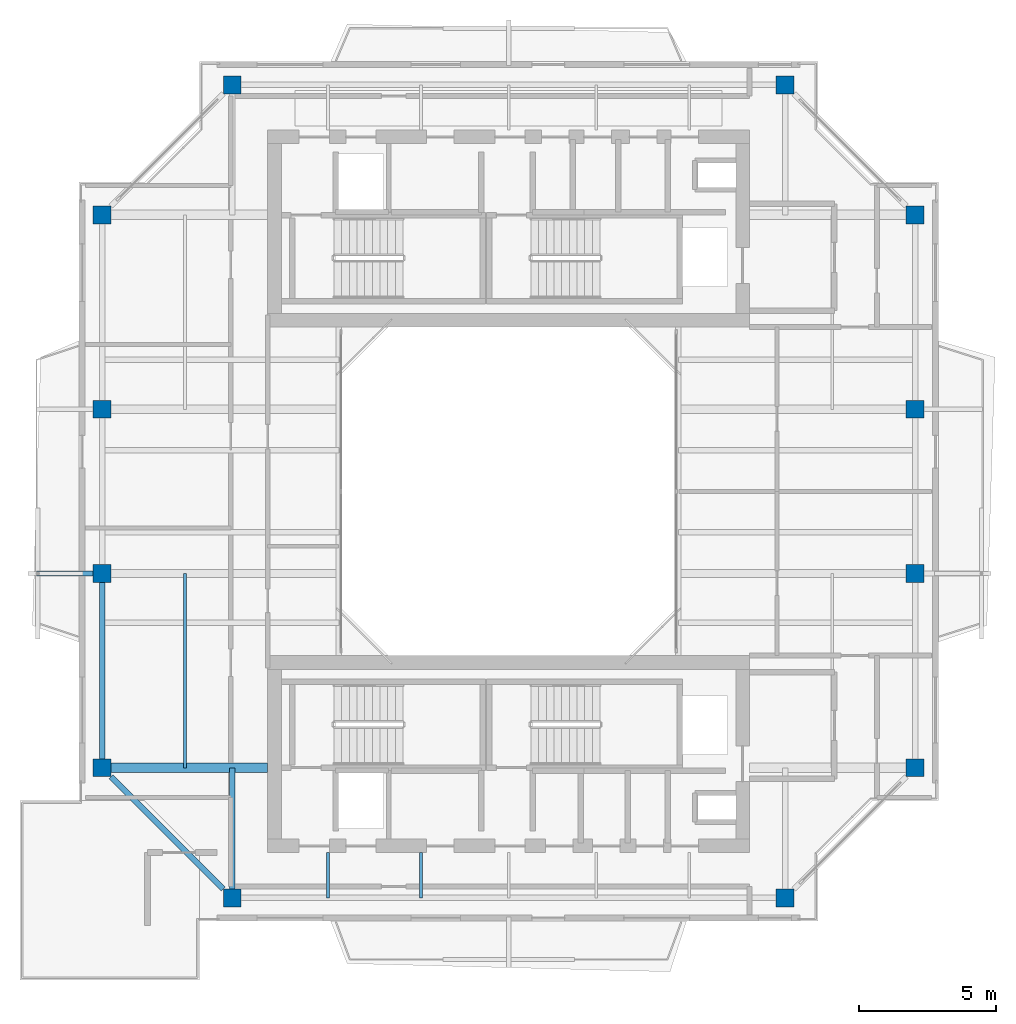
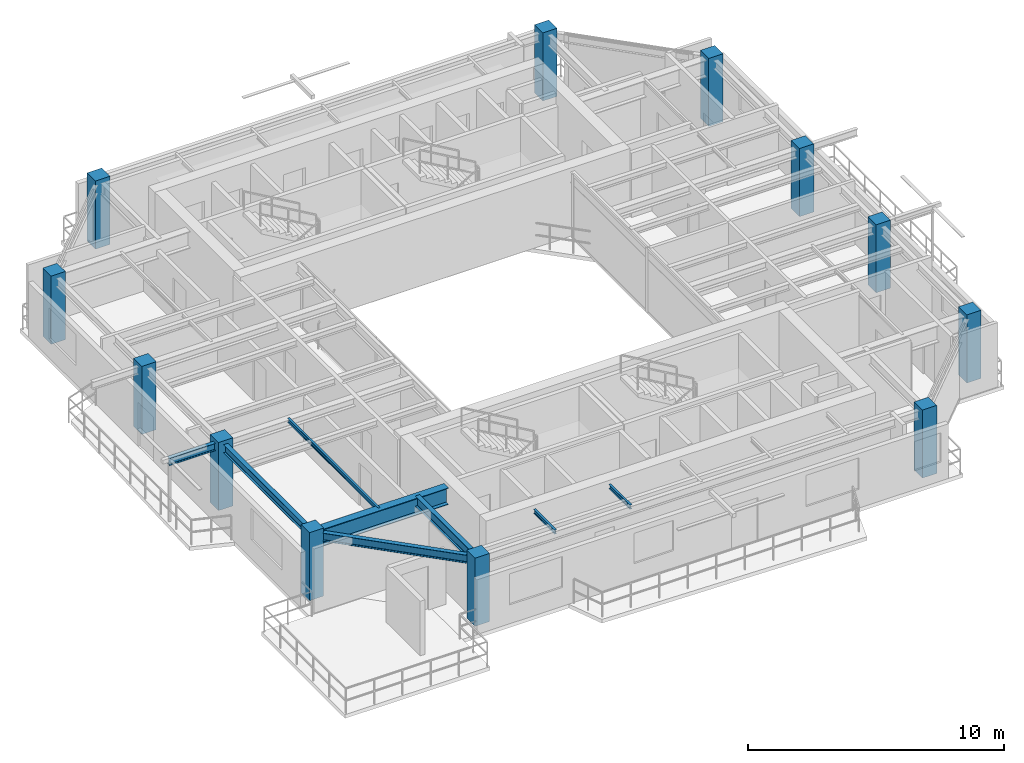
# One storey, part 1 of 14: 12 columns, 8 beams.
"""IFC4 building model written with IfcOpenShell, lengths in metres."""

import ifcopenshell
import ifcopenshell.guid

model = None  # the IFC model being written
_history = None  # IfcOwnerHistory: only IFC2X3 demands one
_inside = {}  # id of a spatial element -> (the spatial element, [elements in it])
_under = {}  # id of a project, library or spatial element -> (it, [spatial elements below it])
_declared = {}  # id of a project -> (the project, [libraries it declares])
_typed = {}  # id of a type object -> (the type object, [elements of that type])
_made_of = {}  # id of a material, layer set ... -> (it, [elements and type objects made of it])


def new_model(schema):
    """Start an empty IFC model of exactly this schema.

    Asked for "IFC4X3", IfcOpenShell would pick the latest addendum, in which some entities
    have other attributes; the version numbers below select the first issue.
    IFC2X3 requires an IfcOwnerHistory on every rooted entity: one is made here for all.
    """
    global model, _history
    if schema == "IFC4X3":
        model = ifcopenshell.file(schema_version=(4, 3, 0, 0))
    else:
        model = ifcopenshell.file(schema=schema)
    _inside.clear()
    _under.clear()
    _declared.clear()
    _typed.clear()
    _made_of.clear()
    _history = None
    if model.schema == "IFC2X3":
        org = make("IfcOrganization", Name="unknown")
        user = make(
            "IfcPersonAndOrganization",
            ThePerson=make("IfcPerson", FamilyName="unknown"),
            TheOrganization=org,
        )
        app = make(
            "IfcApplication",
            ApplicationDeveloper=org,
            Version="unknown",
            ApplicationFullName="unknown",
            ApplicationIdentifier="unknown",
        )
        _history = make(
            "IfcOwnerHistory",
            OwningUser=user,
            OwningApplication=app,
            ChangeAction="ADDED",
            CreationDate=0,
        )
    return model


def make(cls, **values):
    """One entity of the class cls with the attributes given. An attribute that is None is left unset."""
    return model.create_entity(
        cls, **{name: value for name, value in values.items() if value is not None}
    )


def rooted(cls, **values):
    """An entity with a GlobalId (a new one), such as an element, a storey or a relation."""
    return make(cls, GlobalId=ifcopenshell.guid.new(), OwnerHistory=_history, **values)


def si_unit(unit_type, name, prefix=None):
    """IfcSIUnit, for example si_unit("LENGTHUNIT", "METRE", prefix="MILLI")."""
    return make("IfcSIUnit", UnitType=unit_type, Prefix=prefix, Name=name)


def assignment(units):
    """IfcUnitAssignment: the units of a project."""
    return None if units is None else make("IfcUnitAssignment", Units=units)


def point(xyz):
    """IfcCartesianPoint."""
    return None if xyz is None else make("IfcCartesianPoint", Coordinates=xyz)


def direction(xyz):
    """IfcDirection."""
    return None if xyz is None else make("IfcDirection", DirectionRatios=xyz)


def frame(location, z_axis=None, x_axis=None):
    """IfcAxis2Placement3D, a coordinate frame: its origin and axes. An axis left out is left unset."""
    return make(
        "IfcAxis2Placement3D",
        Location=point(location),
        Axis=direction(z_axis),
        RefDirection=direction(x_axis),
    )


def frame_2d(location, x_axis=None):
    """IfcAxis2Placement2D, a coordinate frame in the plane: its origin and x axis."""
    return make(
        "IfcAxis2Placement2D", Location=point(location), RefDirection=direction(x_axis)
    )


def origin():
    """The frame at (0, 0, 0) with its axes left unset."""
    return frame((0.0, 0.0, 0.0))


def origin_2d():
    """The frame at (0, 0) in the plane with its x axis left unset."""
    return frame_2d((0.0, 0.0))


def place(relative_to, where):
    """IfcLocalPlacement: puts the frame where relative to a parent placement (None: the world)."""
    return make(
        "IfcLocalPlacement", PlacementRelTo=relative_to, RelativePlacement=where
    )


def context(
    kind, dimensions, precision=None, world=None, true_north=None, identifier=None
):
    """IfcGeometricRepresentationContext, for example the 3D "Model" context."""
    return make(
        "IfcGeometricRepresentationContext",
        ContextIdentifier=identifier,
        ContextType=kind,
        CoordinateSpaceDimension=dimensions,
        Precision=precision,
        WorldCoordinateSystem=world,
        TrueNorth=true_north,
    )


def subcontext(parent, identifier, kind, view, scale=None):
    """IfcGeometricRepresentationSubContext, for example "Body" below "Model"."""
    return make(
        "IfcGeometricRepresentationSubContext",
        ContextIdentifier=identifier,
        ContextType=kind,
        ParentContext=parent,
        TargetScale=scale,
        TargetView=view,
    )


def project(units=None, contexts=None):
    """IfcProject with its units and contexts."""
    return rooted(
        "IfcProject",
        Name="project",
        RepresentationContexts=contexts,
        UnitsInContext=assignment(units),
    )


def spatial(cls, under=None, at=None, **own):
    """A site, building, storey or space (cls), placed at a placement, below another one or the project."""
    s = rooted(cls, ObjectPlacement=at, **own)
    if under is not None:
        _under.setdefault(under.id(), (under, []))[1].append(s)
    return s


def profile(cls, at=None, kind="AREA", **sizes):
    """A parametric profile (cls). Its sizes go by their IFC names, for example OverallWidth=200.0."""
    return make(cls, ProfileType=kind, Position=at, **sizes)


def rectangle(**sizes):
    """IfcRectangleProfileDef."""
    return profile("IfcRectangleProfileDef", **sizes)


def i_section(**sizes):
    """IfcIShapeProfileDef."""
    return profile("IfcIShapeProfileDef", **sizes)


def extrude(swept, where, along, depth):
    """IfcExtrudedAreaSolid: the profile swept, set in the frame where, extruded along a direction by depth."""
    return make(
        "IfcExtrudedAreaSolid",
        SweptArea=swept,
        Position=where,
        ExtrudedDirection=direction(along),
        Depth=depth,
    )


def shape(context_of_items, identifier, shape_type, items):
    """IfcShapeRepresentation: the items that make up one representation, for example the "Body"."""
    return make(
        "IfcShapeRepresentation",
        ContextOfItems=context_of_items,
        RepresentationIdentifier=identifier,
        RepresentationType=shape_type,
        Items=items,
    )


def source(mapping_origin, context_of_items, identifier, shape_type, items):
    """IfcRepresentationMap: a shape defined once, which mapped items show again and again."""
    return make(
        "IfcRepresentationMap",
        MappingOrigin=mapping_origin,
        MappedRepresentation=shape(context_of_items, identifier, shape_type, items),
    )


def transform(
    local_origin,
    x_axis=None,
    y_axis=None,
    z_axis=None,
    scale=None,
    scale2=None,
    scale3=None,
    uniform=True,
):
    """IfcCartesianTransformationOperator3D, or its non-uniform kind. x_axis, y_axis, z_axis: its Axis1, 2, 3."""
    if uniform:
        return make(
            "IfcCartesianTransformationOperator3D",
            Axis1=direction(x_axis),
            Axis2=direction(y_axis),
            LocalOrigin=point(local_origin),
            Scale=scale,
            Axis3=direction(z_axis),
        )
    return make(
        "IfcCartesianTransformationOperator3DnonUniform",
        Axis1=direction(x_axis),
        Axis2=direction(y_axis),
        LocalOrigin=point(local_origin),
        Scale=scale,
        Axis3=direction(z_axis),
        Scale2=scale2,
        Scale3=scale3,
    )


def mapped(mapping_source, mapping_target):
    """IfcMappedItem: shows the shape of a source again, moved by a transform."""
    return make(
        "IfcMappedItem", MappingSource=mapping_source, MappingTarget=mapping_target
    )


def material(Name=None, Category=None):
    """IfcMaterial."""
    return make("IfcMaterial", Name=Name, Category=Category)


def material_profile(
    of_material, cross_section, Name=None, Category=None, Priority=None
):
    """IfcMaterialProfile: a cross section and its material."""
    return make(
        "IfcMaterialProfile",
        Name=Name,
        Material=of_material,
        Profile=cross_section,
        Priority=Priority,
        Category=Category,
    )


def profile_set(profiles, Name=None, composite=None):
    """IfcMaterialProfileSet."""
    return make(
        "IfcMaterialProfileSet",
        Name=Name,
        MaterialProfiles=profiles,
        CompositeProfile=composite,
    )


def made_of(thing, what):
    """Note that an element or type object is made of a material, layer set ...; save() writes the relation."""
    if what is not None:
        _made_of.setdefault(what.id(), (what, []))[1].append(thing)
    return thing


def type_object(cls, material=None, **own):
    """A type object (cls), such as IfcWallType, which elements share."""
    return made_of(rooted(cls, **own), material)


def element(
    cls,
    number,
    at=None,
    inside=None,
    cuts=None,
    type_object=None,
    material=None,
    context=None,
    identifier="Body",
    shape_type=None,
    held_by="IfcProductDefinitionShape",
    body=None,
    shapes=None,
    **own,
):
    """One element of the class cls, such as IfcWall. Its Tag is "e" and its number.

    at: its placement. inside: the storey or other place that contains it. cuts: it is an
    opening in that element (IfcRelVoidsElement). A single representation is given by context,
    identifier, shape_type and body (its items); several are given by shapes. held_by: the class
    of the entity that holds the representations. save() writes the other relations.
    """
    e = rooted(cls, Tag="e%d" % number, ObjectPlacement=at, **own)
    if body is not None:
        shapes = [shape(context, identifier, shape_type, body)]
    if shapes is not None:
        e.Representation = make(held_by, Representations=shapes)
    if inside is not None:
        _inside.setdefault(inside.id(), (inside, []))[1].append(e)
    if cuts is not None:
        rooted(
            "IfcRelVoidsElement", RelatingBuildingElement=cuts, RelatedOpeningElement=e
        )
    if type_object is not None:
        _typed.setdefault(type_object.id(), (type_object, []))[1].append(e)
    return made_of(e, material)


def aggregate(whole, parts):
    """IfcRelAggregates: a whole, such as a stair, and the parts it consists of."""
    return rooted("IfcRelAggregates", RelatingObject=whole, RelatedObjects=parts)


def save(model, path):
    """Write the relations noted so far, then the file.

    IfcRelAggregates (storeys below a building ...), IfcRelContainedInSpatialStructure (elements
    in a storey), IfcRelDefinesByType, IfcRelAssociatesMaterial and IfcRelDeclares: one each for
    every whole, place, type object, material and project.
    """
    for whole, parts in _under.values():
        aggregate(whole, parts)
    for where, things in _inside.values():
        rooted(
            "IfcRelContainedInSpatialStructure",
            RelatedElements=things,
            RelatingStructure=where,
        )
    for kind, things in _typed.values():
        rooted("IfcRelDefinesByType", RelatedObjects=things, RelatingType=kind)
    for what, things in _made_of.values():
        rooted("IfcRelAssociatesMaterial", RelatedObjects=things, RelatingMaterial=what)
    for by, libraries in _declared.values():
        rooted("IfcRelDeclares", RelatingContext=by, RelatedDefinitions=libraries)
    model.write(path)


model = new_model("IFC4")

# Units and contexts
model_context = context("Model", 3, precision=1e-05, world=origin(), true_north=direction((0.0, 1.0)))
body_context = subcontext(model_context, "Body", "Model", "MODEL_VIEW")
ifc_project = project(units=[si_unit("LENGTHUNIT", "METRE"), si_unit("AREAUNIT", "SQUARE_METRE"), si_unit("VOLUMEUNIT", "CUBIC_METRE"), si_unit("PLANEANGLEUNIT", "RADIAN"), si_unit("MASSUNIT", "GRAM", prefix="KILO"), si_unit("THERMODYNAMICTEMPERATUREUNIT", "KELVIN"), si_unit("POWERUNIT", "WATT")], contexts=[model_context])

# Site, building, storey
site_placement = place(None, origin())
site = spatial("IfcSite", under=ifc_project, at=site_placement, CompositionType="ELEMENT")
building_placement = place(site_placement, origin())
building = spatial("IfcBuilding", under=site, at=building_placement, Name="Qiaomeng Ring Towers", CompositionType="ELEMENT")
storey_placement = place(building_placement, frame((0.0, 0.0, 243.75)))
storey = spatial("IfcBuildingStorey", under=building, at=storey_placement, Name="L71", CompositionType="ELEMENT", Elevation=243.75)

# Columns
ifc_material_1 = material(Name="Concrete C40", Category="concrete")
ifc_material_profile_1 = material_profile(ifc_material_1, rectangle(XDim=0.64990234375, YDim=0.64990234375, at=origin_2d()), Name="RC COL 650x650")
ifc_profile_set_1 = profile_set([ifc_material_profile_1], Name="Concrete C40")
column_type = type_object("IfcColumnType", Name="STR-COL-650-C40", PredefinedType="COLUMN", material=ifc_profile_set_1)
shared_shape_1 = source(origin(), body_context, "Body", "SweptSolid", [
    extrude(rectangle(XDim=0.64990234375, YDim=0.64990234375, at=origin_2d()), origin(), (0.0, 0.0, 1.0), 3.25),
])
for number, where, z_axis, x_axis, name in (
    (1, (8.89990234375, 8.14990234375, 0.0), (0.0, 0.0, 1.0), (1.0, 0.0, 0.0), "L71 column STR-COL-L71-T1-S1"),
    (2, (29.10009765625, 8.14990234375, 0.0), (0.0, 0.0, 1.0), (1.0, 0.0, 0.0), "L71 column STR-COL-L71-T1-S2"),
    (3, (33.85009765625, 12.89990234375, 0.0), (0.0, 0.0, 1.0), (1.0, 0.0, 0.0), "L71 column STR-COL-L71-T1-E1"),
    (4, (33.85009765625, 20.0, 0.0), (0.0, 0.0, 1.0), (1.0, 0.0, 0.0), "L71 column STR-COL-L71-T1-E2"),
    (5, (33.85009765625, 26.0, 0.0), (0.0, 0.0, 1.0), (1.0, 0.0, 0.0), "L71 column STR-COL-L71-T1-E3"),
    (6, (33.85009765625, 33.10009765625, 0.0), (0.0, 0.0, 1.0), (1.0, 0.0, 0.0), "L71 column STR-COL-L71-T1-E4"),
    (7, (29.10009765625, 37.85009765625, 0.0), (0.0, 0.0, 1.0), (1.0, 0.0, 0.0), "L71 column STR-COL-L71-T1-N2"),
    (8, (8.89990234375, 37.85009765625, 0.0), (0.0, 0.0, 1.0), (1.0, 0.0, 0.0), "L71 column STR-COL-L71-T1-N1"),
    (9, (4.14990234375, 33.10009765625, 0.0), (0.0, 0.0, 1.0), (1.0, 0.0, 0.0), "L71 column STR-COL-L71-T1-W4"),
    (10, (4.14990234375, 26.0, 0.0), (0.0, 0.0, 1.0), (1.0, 0.0, 0.0), "L71 column STR-COL-L71-T1-W3"),
    (11, (4.14990234375, 20.0, 0.0), (0.0, 0.0, 1.0), (1.0, 0.0, 0.0), "L71 column STR-COL-L71-T1-W2"),
    (12, (4.14990234375, 12.89990234375, 0.0), (0.0, 0.0, 1.0), (1.0, 0.0, 0.0), "L71 column STR-COL-L71-T1-W1"),
):
    element("IfcColumn", number, at=place(storey_placement, frame(where, z_axis=z_axis, x_axis=x_axis)), inside=storey, type_object=column_type, Name=name, PredefinedType="COLUMN", context=body_context, shape_type="MappedRepresentation", body=[
        mapped(shared_shape_1, transform((0.0, 0.0, 0.0), x_axis=(1.0, 0.0, 0.0), y_axis=(0.0, 1.0, 0.0), z_axis=(0.0, 0.0, 1.0), scale=1.0)),
    ])

# Beams
ifc_material_2 = material(Name="Steel Q355B", Category="steel")
ifc_material_profile_2 = material_profile(ifc_material_2, i_section(OverallWidth=0.198974609375, OverallDepth=0.39599609375, WebThickness=0.007080078125, FlangeThickness=0.010986328125, FilletRadius=0.01611328125, at=origin_2d()), Name="HN 396x199x7x11")
ifc_profile_set_2 = profile_set([ifc_material_profile_2], Name="Steel Q355B")
beam_type_1 = type_object("IfcBeamType", Name="STR-BM-HN396", PredefinedType="SPANDREL", material=ifc_profile_set_2)
shared_shape_2 = source(origin(), body_context, "Body", "SweptSolid", [
    extrude(i_section(OverallWidth=0.198974609375, OverallDepth=0.39599609375, WebThickness=0.007080078125, FlangeThickness=0.010986328125, FilletRadius=0.01611328125, at=origin_2d()), origin(), (0.0, 0.0, 1.0), 5.800048828125),
])
beam_1_placement = place(storey_placement, frame((4.474365234375, 12.57568359375, 2.8720703125), z_axis=(0.707106781187, -0.707106781187, 0.0), x_axis=(0.707106781187, 0.707106781187, 0.0)))
element("IfcBeam", 13, at=beam_1_placement, inside=storey, type_object=beam_type_1, Name="L71 beam STR-SP-L71-T1-W1-S1", PredefinedType="SPANDREL", context=body_context, shape_type="MappedRepresentation", body=[
    mapped(shared_shape_2, transform((0.0, 0.0, 0.0), x_axis=(1.0, 0.0, 0.0), y_axis=(0.0, 1.0, 0.0), z_axis=(0.0, 0.0, 1.0), scale=1.0)),
])
shared_shape_3 = source(origin(), body_context, "Body", "SweptSolid", [
    extrude(i_section(OverallWidth=0.198974609375, OverallDepth=0.39599609375, WebThickness=0.007080078125, FlangeThickness=0.010986328125, FilletRadius=0.01611328125, at=origin_2d()), origin(), (0.0, 0.0, 1.0), 6.451904296875),
])
beam_2_placement = place(storey_placement, frame((4.14990234375, 19.676025390625, 2.8720703125), z_axis=(0.0, -1.0, 0.0), x_axis=(1.0, 0.0, 0.0)))
element("IfcBeam", 14, at=beam_2_placement, inside=storey, type_object=beam_type_1, Name="L71 beam STR-SP-L71-T1-W2-W1", PredefinedType="SPANDREL", context=body_context, shape_type="MappedRepresentation", body=[
    mapped(shared_shape_3, transform((0.0, 0.0, 0.0), x_axis=(1.0, 0.0, 0.0), y_axis=(0.0, 1.0, 0.0), z_axis=(0.0, 0.0, 1.0), scale=1.0)),
])
ifc_material_3 = material(Name="Steel Q390GJC", Category="steel")
ifc_material_profile_3 = material_profile(ifc_material_3, i_section(OverallWidth=0.35009765625, OverallDepth=0.800048828125, WebThickness=0.01611328125, FlangeThickness=0.028076171875, at=origin_2d()), Name="WH 800x350x16x28")
ifc_profile_set_3 = profile_set([ifc_material_profile_3], Name="Steel Q390GJC")
beam_type_2 = type_object("IfcBeamType", Name="STR-BM-WH800", PredefinedType="BEAM", material=ifc_profile_set_3)
shared_shape_4 = source(origin(), body_context, "Body", "SweptSolid", [
    extrude(i_section(OverallWidth=0.35009765625, OverallDepth=0.800048828125, WebThickness=0.01611328125, FlangeThickness=0.028076171875, at=origin_2d()), origin(), (0.0, 0.0, 1.0), 5.725830078125),
])
beam_3_placement = place(storey_placement, frame((4.47412109375, 12.89990234375, 2.669921875), z_axis=(1.0, 0.0, 0.0), x_axis=(0.0, 1.0, 0.0)))
element("IfcBeam", 15, at=beam_3_placement, inside=storey, type_object=beam_type_2, Name="L71 beam STR-BM-L71-T1-RAD-W1", PredefinedType="BEAM", context=body_context, shape_type="MappedRepresentation", body=[
    mapped(shared_shape_4, transform((0.0, 0.0, 0.0), x_axis=(1.0, 0.0, 0.0), y_axis=(0.0, 1.0, 0.0), z_axis=(0.0, 0.0, 1.0), scale=1.0)),
])
ifc_material_profile_4 = material_profile(ifc_material_2, i_section(OverallWidth=0.198974609375, OverallDepth=0.49609375, WebThickness=0.009033203125, FlangeThickness=0.013916015625, FilletRadius=0.01806640625, at=origin_2d()), Name="HN 496x199x9x14")
ifc_profile_set_4 = profile_set([ifc_material_profile_4], Name="Steel Q355B")
beam_type_3 = type_object("IfcBeamType", Name="STR-BM-HN496", PredefinedType="BEAM", material=ifc_profile_set_4)
shared_shape_5 = source(origin(), body_context, "Body", "SweptSolid", [
    extrude(i_section(OverallWidth=0.198974609375, OverallDepth=0.49609375, WebThickness=0.009033203125, FlangeThickness=0.013916015625, FilletRadius=0.01806640625, at=origin_2d()), origin(), (0.0, 0.0, 1.0), 4.42578125),
])
beam_4_placement = place(storey_placement, frame((8.89990234375, 8.47412109375, 2.822021484375), z_axis=(0.0, 1.0, 0.0), x_axis=(-1.0, 0.0, 0.0)))
element("IfcBeam", 16, at=beam_4_placement, inside=storey, type_object=beam_type_3, Name="L71 beam STR-BM-L71-T1-RAD-S1", PredefinedType="BEAM", context=body_context, shape_type="MappedRepresentation", body=[
    mapped(shared_shape_5, transform((0.0, 0.0, 0.0), x_axis=(1.0, 0.0, 0.0), y_axis=(0.0, 1.0, 0.0), z_axis=(0.0, 0.0, 1.0), scale=1.0)),
])
ifc_material_profile_5 = material_profile(ifc_material_2, i_section(OverallWidth=0.175048828125, OverallDepth=0.35009765625, WebThickness=0.007080078125, FlangeThickness=0.010986328125, FilletRadius=0.013916015625, at=origin_2d()), Name="HN 350x175x7x11")
ifc_profile_set_5 = profile_set([ifc_material_profile_5], Name="Steel Q355B")
beam_type_4 = type_object("IfcBeamType", Name="STR-BM-HN350", PredefinedType="JOIST", material=ifc_profile_set_5)
shared_shape_6 = source(origin(), body_context, "Body", "SweptSolid", [
    extrude(i_section(OverallWidth=0.175048828125, OverallDepth=0.35009765625, WebThickness=0.007080078125, FlangeThickness=0.010986328125, FilletRadius=0.013916015625, at=origin_2d()), origin(), (0.0, 0.0, 1.0), 2.075927734375),
])
beam_5_placement = place(storey_placement, frame((1.75, 20.0, 2.89501953125), z_axis=(1.0, 0.0, 0.0), x_axis=(0.0, 1.0, 0.0)))
element("IfcBeam", 17, at=beam_5_placement, inside=storey, type_object=beam_type_4, Name="L71 beam STR-BALBM-L71-W2", PredefinedType="JOIST", context=body_context, shape_type="MappedRepresentation", body=[
    mapped(shared_shape_6, transform((0.0, 0.0, 0.0), x_axis=(1.0, 0.0, 0.0), y_axis=(0.0, 1.0, 0.0), z_axis=(0.0, 0.0, 1.0), scale=1.0)),
])
ifc_material_profile_6 = material_profile(ifc_material_2, i_section(OverallWidth=0.10009765625, OverallDepth=0.199951171875, WebThickness=0.005615234375, FlangeThickness=0.008056640625, FilletRadius=0.010986328125, at=origin_2d()), Name="HN 200x100x5.5x8")
ifc_profile_set_6 = profile_set([ifc_material_profile_6], Name="Steel Q355B")
beam_type_5 = type_object("IfcBeamType", Name="STR-BM-HN200", PredefinedType="JOIST", material=ifc_profile_set_6)
shared_shape_7 = source(origin(), body_context, "Body", "SweptSolid", [
    extrude(i_section(OverallWidth=0.10009765625, OverallDepth=0.199951171875, WebThickness=0.005615234375, FlangeThickness=0.008056640625, FilletRadius=0.010986328125, at=origin_2d()), origin(), (0.0, 0.0, 1.0), 1.650146484375),
])
for number, where, z_axis, x_axis, name in (
    (18, (12.39990234375, 8.14990234375, 2.969970703125), (0.0, 1.0, 0.0), (-1.0, 0.0, 0.0), "L71 beam STR-JST-L71-T1S-1"),
    (19, (15.800048828125, 8.14990234375, 2.969970703125), (0.0, 1.0, 0.0), (-1.0, 0.0, 0.0), "L71 beam STR-JST-L71-T1S-2"),
):
    element("IfcBeam", number, at=place(storey_placement, frame(where, z_axis=z_axis, x_axis=x_axis)), inside=storey, type_object=beam_type_5, Name=name, PredefinedType="JOIST", context=body_context, shape_type="MappedRepresentation", body=[
        mapped(shared_shape_7, transform((0.0, 0.0, 0.0), x_axis=(1.0, 0.0, 0.0), y_axis=(0.0, 1.0, 0.0), z_axis=(0.0, 0.0, 1.0), scale=1.0)),
    ])
shared_shape_8 = source(origin(), body_context, "Body", "SweptSolid", [
    extrude(i_section(OverallWidth=0.10009765625, OverallDepth=0.199951171875, WebThickness=0.005615234375, FlangeThickness=0.008056640625, FilletRadius=0.010986328125, at=origin_2d()), origin(), (0.0, 0.0, 1.0), 7.10009765625),
])
beam_6_placement = place(storey_placement, frame((7.175048828125, 12.89990234375, 2.969970703125), z_axis=(0.0, 1.0, 0.0), x_axis=(-1.0, 0.0, 0.0)))
element("IfcBeam", 20, at=beam_6_placement, inside=storey, type_object=beam_type_5, Name="L71 beam STR-JST-L71-T1C-WS", PredefinedType="JOIST", context=body_context, shape_type="MappedRepresentation", body=[
    mapped(shared_shape_8, transform((0.0, 0.0, 0.0), x_axis=(1.0, 0.0, 0.0), y_axis=(0.0, 1.0, 0.0), z_axis=(0.0, 0.0, 1.0), scale=1.0)),
])

save(model, "model.ifc")
